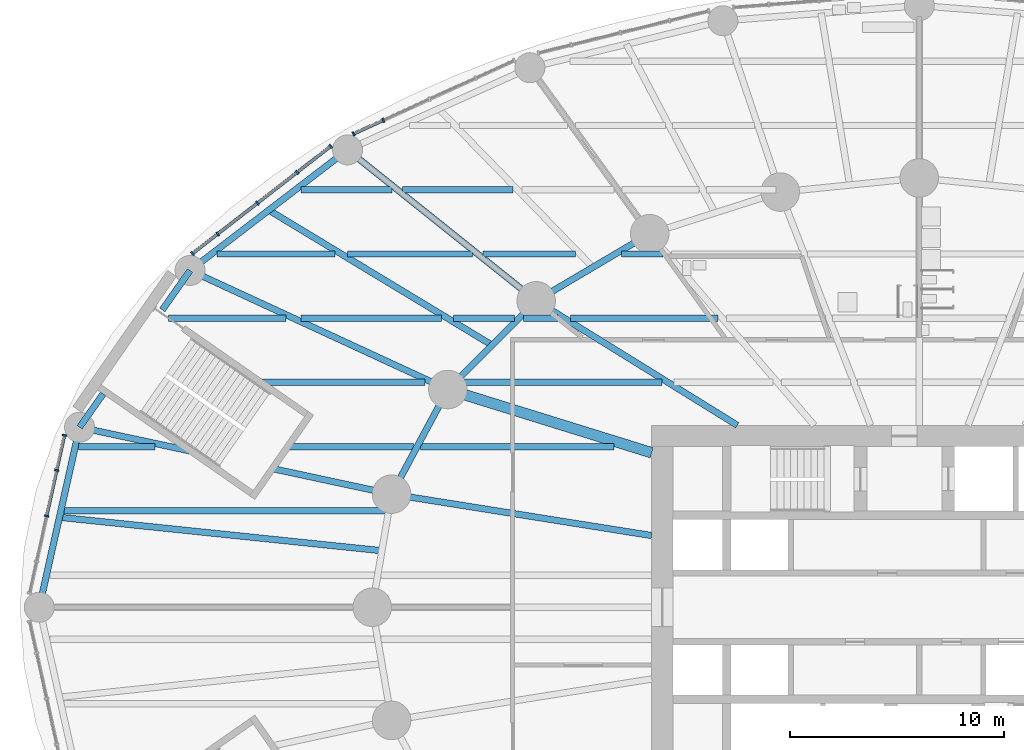
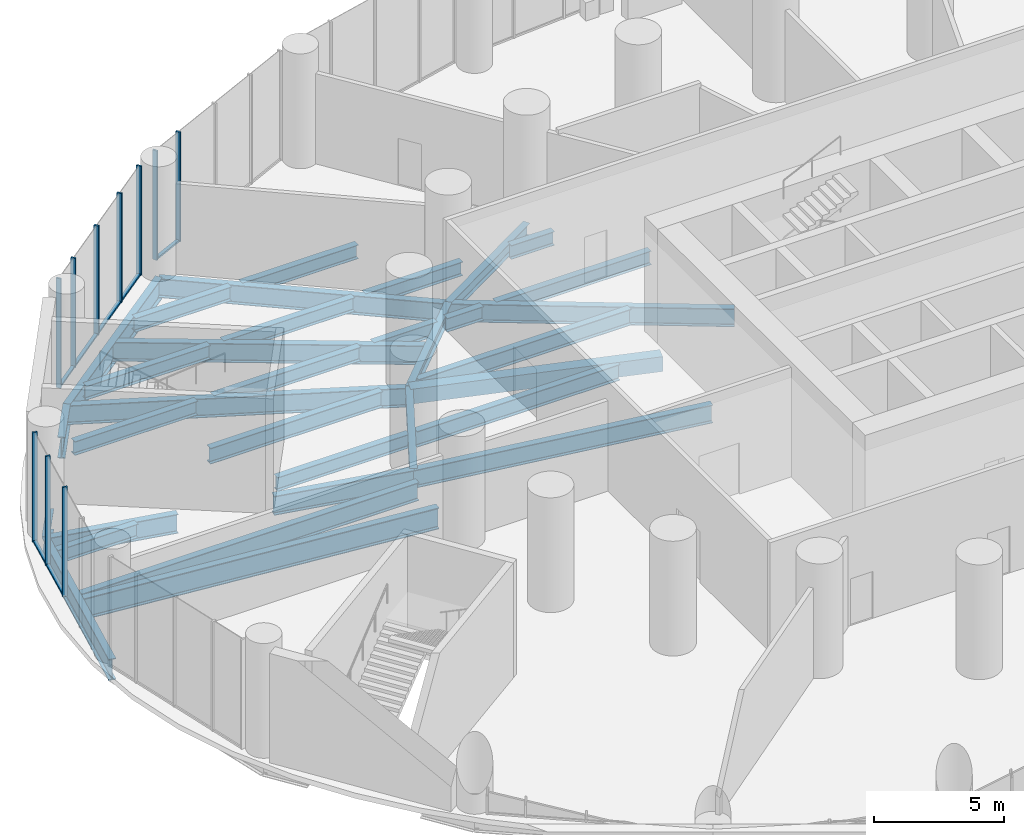
# One storey, part 7 of 23: 33 beams, 17 members, 3 elements without a shape of their own.
"""IFC4 building model written with IfcOpenShell, lengths in metres."""

from ifc_helpers import new_model, si_unit, direction, frame, origin, origin_2d, place, context, subcontext, project, spatial, rectangle, hollow_rectangle, i_section, extrude, material, material_profile, profile_set, type_object, element, aggregate, save


model = new_model("IFC4")

# Units and contexts
model_context = context("Model", 3, precision=1e-05, world=origin(), true_north=direction((0.0, 1.0)))
body_context = subcontext(model_context, "Body", "Model", "MODEL_VIEW")
ifc_project = project(units=[si_unit("LENGTHUNIT", "METRE"), si_unit("AREAUNIT", "SQUARE_METRE"), si_unit("VOLUMEUNIT", "CUBIC_METRE"), si_unit("PLANEANGLEUNIT", "RADIAN"), si_unit("MASSUNIT", "GRAM", prefix="KILO")], contexts=[model_context])

# Site, building, storey
site_placement = place(None, origin())
site = spatial("IfcSite", under=ifc_project, at=site_placement, CompositionType="ELEMENT")
building_placement = place(site_placement, origin())
building = spatial("IfcBuilding", under=site, at=building_placement, Name="Hankou Lantern Tower", CompositionType="ELEMENT")
storey_placement = place(building_placement, frame((0.0, 0.0, 19.199951171875)))
storey = spatial("IfcBuildingStorey", under=building, at=storey_placement, Name="L03", CompositionType="ELEMENT", Elevation=19.199951171875)

# Beams
ifc_material_1 = material(Name="Steel Q355B", Category="steel")
ifc_material_profile_1 = material_profile(ifc_material_1, i_section(OverallWidth=0.300048828125, OverallDepth=0.587890625, WebThickness=0.011962890625, FlangeThickness=0.02001953125, FilletRadius=0.01806640625, at=origin_2d()), Name="HM588x300x12x20")
ifc_profile_set_1 = profile_set([ifc_material_profile_1], Name="Steel Q355B")
beam_type_1 = type_object("IfcBeamType", Name="EB16 RING BEAM HM588x300x12x20", PredefinedType="SPANDREL", material=ifc_profile_set_1)
beam_1_placement = place(storey_placement, frame((-12.5908203125, 17.446533203125, -0.5439453125), z_axis=(-0.860881533543, -0.508805449268, 0.0), x_axis=(0.508805449268, -0.860881533543, 0.0)))
element("IfcBeam", 1, at=beam_1_placement, inside=storey, type_object=beam_type_1, Name="Ring beam R09-R10 L03", PredefinedType="SPANDREL", context=body_context, shape_type="SweptSolid", body=[
    extrude(i_section(OverallWidth=0.300048828125, OverallDepth=0.587890625, WebThickness=0.011962890625, FlangeThickness=0.02001953125, FilletRadius=0.01806640625, at=origin_2d()), origin(), (0.0, 0.0, 1.0), 6.15771484375),
])
beam_2_placement = place(storey_placement, frame((-17.891845703125, 14.3134765625, -0.5439453125), z_axis=(-0.705727798394, -0.708483079949, 0.0), x_axis=(0.708483079949, -0.705727798394, 0.0)))
element("IfcBeam", 2, at=beam_2_placement, inside=storey, type_object=beam_type_1, Name="Ring beam R10-R11 L03", PredefinedType="SPANDREL", context=body_context, shape_type="SweptSolid", body=[
    extrude(i_section(OverallWidth=0.300048828125, OverallDepth=0.587890625, WebThickness=0.011962890625, FlangeThickness=0.02001953125, FilletRadius=0.01806640625, at=origin_2d()), origin(), (0.0, 0.0, 1.0), 5.84814453125),
])
beam_3_placement = place(storey_placement, frame((-22.01904296875, 10.170166015625, -0.5439453125), z_axis=(-0.473609096023, -0.880735161194, 0.0), x_axis=(0.880735161194, -0.473609096023, 0.0)))
element("IfcBeam", 3, at=beam_3_placement, inside=storey, type_object=beam_type_1, Name="Ring beam R11-R12 L03", PredefinedType="SPANDREL", context=body_context, shape_type="SweptSolid", body=[
    extrude(i_section(OverallWidth=0.300048828125, OverallDepth=0.587890625, WebThickness=0.011962890625, FlangeThickness=0.02001953125, FilletRadius=0.01806640625, at=origin_2d()), origin(), (0.0, 0.0, 1.0), 5.548828125),
])

# Curtain wall, members
ifc_material_2 = material(Name="Glass, dark grey tinted laminated", Category="glass")
curtain_wall_type = type_object("IfcCurtainWallType", Name="CWP PODIUM CURTAIN WALL", PredefinedType="USERDEFINED", material=ifc_material_2)
curtain_wall_1_placement = place(storey_placement, origin())
curtain_wall_1 = element("IfcCurtainWall", 4, at=curtain_wall_1_placement, inside=storey, type_object=curtain_wall_type, Name="CWP L03 PC07", ObjectType="PODIUM GLAZING", PredefinedType="USERDEFINED")
ifc_material_3 = material(Name="Aluminium, black anodised", Category="aluminium")
ifc_material_profile_2 = material_profile(ifc_material_3, rectangle(XDim=0.080078125, YDim=0.199951171875, at=origin_2d()), Name="MU2 80X200")
ifc_profile_set_2 = profile_set([ifc_material_profile_2], Name="Aluminium, black anodised")
member_type_1 = type_object("IfcMemberType", Name="MU2 PODIUM MULLION 80X200", PredefinedType="MULLION", material=ifc_profile_set_2)
member_1_placement = place(storey_placement, frame((-25.034423828125, 22.743408203125, 0.0), z_axis=(0.0, 0.0, 1.0), x_axis=(-0.909669790944, -0.41533224224, 0.0)))
member_1 = element("IfcMember", 5, at=member_1_placement, type_object=member_type_1, Name="CWP mullion 4", PredefinedType="MULLION", context=body_context, shape_type="SweptSolid", body=[
    extrude(rectangle(XDim=0.080078125, YDim=0.199951171875, at=origin_2d()), origin(), (0.0, 0.0, 1.0), 5.150146484375),
])
member_2_placement = place(storey_placement, frame((-26.421630859375, 22.10986328125, 0.0), z_axis=(0.0, 0.0, 1.0), x_axis=(-0.909669790944, -0.41533224224, 0.0)))
member_2 = element("IfcMember", 6, at=member_2_placement, type_object=member_type_1, Name="CWP mullion 5", PredefinedType="MULLION", context=body_context, shape_type="SweptSolid", body=[
    extrude(rectangle(XDim=0.080078125, YDim=0.199951171875, at=origin_2d()), origin(), (0.0, 0.0, 1.0), 5.150146484375),
])

curtain_wall_2_placement = place(storey_placement, origin())
curtain_wall_2 = element("IfcCurtainWall", 7, at=curtain_wall_2_placement, inside=storey, type_object=curtain_wall_type, Name="CWP L03 PC08", ObjectType="PODIUM GLAZING", PredefinedType="USERDEFINED")
member_3_placement = place(storey_placement, frame((-27.487060546875, 21.530517578125, 0.0), z_axis=(0.0, 0.0, 1.0), x_axis=(-0.790129760642, -0.612939606608, 0.0)))
member_3 = element("IfcMember", 8, at=member_3_placement, type_object=member_type_1, Name="CWP mullion 1", PredefinedType="MULLION", context=body_context, shape_type="SweptSolid", body=[
    extrude(rectangle(XDim=0.080078125, YDim=0.199951171875, at=origin_2d()), origin(), (0.0, 0.0, 1.0), 5.150146484375),
])
member_4_placement = place(storey_placement, frame((-29.05322265625, 20.315673828125, 0.0), z_axis=(0.0, 0.0, 1.0), x_axis=(-0.790129760642, -0.612939606608, 0.0)))
member_4 = element("IfcMember", 9, at=member_4_placement, type_object=member_type_1, Name="CWP mullion 2", PredefinedType="MULLION", context=body_context, shape_type="SweptSolid", body=[
    extrude(rectangle(XDim=0.080078125, YDim=0.199951171875, at=origin_2d()), origin(), (0.0, 0.0, 1.0), 5.150146484375),
])
member_5_placement = place(storey_placement, frame((-30.91064453125, 18.874755859375, 0.0), z_axis=(0.0, 0.0, 1.0), x_axis=(-0.790129760642, -0.612939606608, 0.0)))
member_5 = element("IfcMember", 10, at=member_5_placement, type_object=member_type_1, Name="CWP mullion 3", PredefinedType="MULLION", context=body_context, shape_type="SweptSolid", body=[
    extrude(rectangle(XDim=0.080078125, YDim=0.199951171875, at=origin_2d()), origin(), (0.0, 0.0, 1.0), 5.150146484375),
])
member_6_placement = place(storey_placement, frame((-32.76806640625, 17.433837890625, 0.0), z_axis=(0.0, 0.0, 1.0), x_axis=(-0.790129760642, -0.612939606608, 0.0)))
member_6 = element("IfcMember", 11, at=member_6_placement, type_object=member_type_1, Name="CWP mullion 4", PredefinedType="MULLION", context=body_context, shape_type="SweptSolid", body=[
    extrude(rectangle(XDim=0.080078125, YDim=0.199951171875, at=origin_2d()), origin(), (0.0, 0.0, 1.0), 5.150146484375),
])
member_7_placement = place(storey_placement, frame((-33.945068359375, 16.520751953125, 0.0), z_axis=(0.0, 0.0, 1.0), x_axis=(-0.790129760642, -0.612939606608, 0.0)))
member_7 = element("IfcMember", 12, at=member_7_placement, type_object=member_type_1, Name="CWP mullion 5", PredefinedType="MULLION", context=body_context, shape_type="SweptSolid", body=[
    extrude(rectangle(XDim=0.080078125, YDim=0.199951171875, at=origin_2d()), origin(), (0.0, 0.0, 1.0), 5.150146484375),
])

curtain_wall_3_placement = place(storey_placement, origin())
curtain_wall_3 = element("IfcCurtainWall", 13, at=curtain_wall_3_placement, inside=storey, type_object=curtain_wall_type, Name="CWP L03 PC09", ObjectType="PODIUM GLAZING", PredefinedType="USERDEFINED")
member_8_placement = place(storey_placement, frame((-39.925537109375, 8.028564453125, 0.0), z_axis=(0.0, 0.0, 1.0), x_axis=(-0.215821488116, -0.976432837049, 0.0)))
member_8 = element("IfcMember", 14, at=member_8_placement, type_object=member_type_1, Name="CWP mullion 1", PredefinedType="MULLION", context=body_context, shape_type="SweptSolid", body=[
    extrude(rectangle(XDim=0.080078125, YDim=0.199951171875, at=origin_2d()), origin(), (0.0, 0.0, 1.0), 5.150146484375),
])
member_9_placement = place(storey_placement, frame((-40.28515625, 6.40087890625, 0.0), z_axis=(0.0, 0.0, 1.0), x_axis=(-0.215821488116, -0.976432837049, 0.0)))
member_9 = element("IfcMember", 15, at=member_9_placement, type_object=member_type_1, Name="CWP mullion 2", PredefinedType="MULLION", context=body_context, shape_type="SweptSolid", body=[
    extrude(rectangle(XDim=0.080078125, YDim=0.199951171875, at=origin_2d()), origin(), (0.0, 0.0, 1.0), 5.150146484375),
])
member_10_placement = place(storey_placement, frame((-40.7568359375, 4.267333984375, 0.0), z_axis=(0.0, 0.0, 1.0), x_axis=(-0.215821488116, -0.976432837049, 0.0)))
member_10 = element("IfcMember", 16, at=member_10_placement, type_object=member_type_1, Name="CWP mullion 3", PredefinedType="MULLION", context=body_context, shape_type="SweptSolid", body=[
    extrude(rectangle(XDim=0.080078125, YDim=0.199951171875, at=origin_2d()), origin(), (0.0, 0.0, 1.0), 5.150146484375),
])

# Beams
ifc_material_4 = material(Name="Steel Q355B", Category="steel")
ifc_material_profile_3 = material_profile(ifc_material_4, i_section(OverallWidth=0.300048828125, OverallDepth=0.89990234375, WebThickness=0.01611328125, FlangeThickness=0.028076171875, FilletRadius=0.01806640625, at=origin_2d()), Name="HN900x300x16x28")
ifc_profile_set_3 = profile_set([ifc_material_profile_3], Name="Steel Q355B")
beam_type_2 = type_object("IfcBeamType", Name="PB13 PODIUM RADIAL BEAM HN900x300x16x28", PredefinedType="BEAM", material=ifc_profile_set_3)
beam_4_placement = place(storey_placement, frame((-17.891845703125, 14.3134765625, -0.699951171875), z_axis=(-0.780875142676, 0.624687130931, 0.0), x_axis=(-0.624687130931, -0.780875142676, 0.0)))
element("IfcBeam", 17, at=beam_4_placement, inside=storey, type_object=beam_type_2, Name="Podium radial beam R10 L03", PredefinedType="BEAM", context=body_context, shape_type="SweptSolid", body=[
    extrude(i_section(OverallWidth=0.300048828125, OverallDepth=0.89990234375, WebThickness=0.01611328125, FlangeThickness=0.028076171875, FilletRadius=0.01806640625, at=origin_2d()), origin(), (0.0, 0.0, 1.0), 11.28271484375),
])
beam_5_placement = place(storey_placement, frame((-22.01904296875, 10.170166015625, -0.699951171875), z_axis=(-0.907840792808, 0.419315030633, 0.0), x_axis=(-0.419315030633, -0.907840792808, 0.0)))
element("IfcBeam", 18, at=beam_5_placement, inside=storey, type_object=beam_type_2, Name="Podium radial beam R11 L03", PredefinedType="BEAM", context=body_context, shape_type="SweptSolid", body=[
    extrude(i_section(OverallWidth=0.300048828125, OverallDepth=0.89990234375, WebThickness=0.01611328125, FlangeThickness=0.028076171875, FilletRadius=0.01806640625, at=origin_2d()), origin(), (0.0, 0.0, 1.0), 13.259765625),
])
beam_6_placement = place(storey_placement, frame((-24.64697265625, 5.283203125, -0.699951171875), z_axis=(-0.977787338777, 0.209599427782, 0.0), x_axis=(-0.209599427782, -0.977787338777, 0.0)))
element("IfcBeam", 19, at=beam_6_placement, inside=storey, type_object=beam_type_2, Name="Podium radial beam R12 L03 inner part", PredefinedType="BEAM", context=body_context, shape_type="SweptSolid", body=[
    extrude(i_section(OverallWidth=0.300048828125, OverallDepth=0.89990234375, WebThickness=0.01611328125, FlangeThickness=0.028076171875, FilletRadius=0.01806640625, at=origin_2d()), origin(), (0.0, 0.0, 1.0), 5.68896484375),
])
beam_7_placement = place(storey_placement, frame((-34.01025390625, 7.29052734375, -0.699951171875), z_axis=(-0.977788323488, 0.209594834028, 0.0), x_axis=(-0.209594834028, -0.977788323488, 0.0)))
element("IfcBeam", 20, at=beam_7_placement, inside=storey, type_object=beam_type_2, Name="Podium radial beam R12 L03 outer part", PredefinedType="BEAM", context=body_context, shape_type="SweptSolid", body=[
    extrude(i_section(OverallWidth=0.300048828125, OverallDepth=0.89990234375, WebThickness=0.01611328125, FlangeThickness=0.028076171875, FilletRadius=0.01806640625, at=origin_2d()), origin(), (0.0, 0.0, 1.0), 5.32568359375),
])
ifc_material_5 = material(Name="Steel Q355B", Category="steel")
ifc_material_profile_4 = material_profile(ifc_material_5, i_section(OverallWidth=0.300048828125, OverallDepth=1.0, WebThickness=0.01904296875, FlangeThickness=0.035888671875, FilletRadius=0.01806640625, at=origin_2d()), Name="HN1000x300x19x36")
ifc_profile_set_4 = profile_set([ifc_material_profile_4], Name="Steel Q355B")
beam_type_3 = type_object("IfcBeamType", Name="PR22 PODIUM RING BEAM HN1000x300x19x36", PredefinedType="BEAM", material=ifc_profile_set_4)
beam_8_placement = place(storey_placement, frame((-26.7021484375, 21.361572265625, -0.75), z_axis=(-0.793985875103, -0.607936205647, 0.0), x_axis=(0.607936205647, -0.793985875103, 0.0)))
element("IfcBeam", 21, at=beam_8_placement, inside=storey, type_object=beam_type_3, Name="Podium ring beam R10-R11 L03", PredefinedType="BEAM", context=body_context, shape_type="SweptSolid", body=[
    extrude(i_section(OverallWidth=0.300048828125, OverallDepth=1.0, WebThickness=0.01904296875, FlangeThickness=0.035888671875, FilletRadius=0.01806640625, at=origin_2d()), origin(), (0.0, 0.0, 1.0), 9.262939453125),
])
beam_9_placement = place(storey_placement, frame((-34.056884765625, 15.730224609375, -0.75), z_axis=(-0.576006222853, -0.817445307794, 0.0), x_axis=(0.817445307794, -0.576006222853, 0.0)))
element("IfcBeam", 22, at=beam_9_placement, inside=storey, type_object=beam_type_3, Name="Podium ring beam R11-R12 L03 west part", PredefinedType="BEAM", context=body_context, shape_type="SweptSolid", body=[
    extrude(i_section(OverallWidth=0.300048828125, OverallDepth=1.0, WebThickness=0.01904296875, FlangeThickness=0.035888671875, FilletRadius=0.01806640625, at=origin_2d()), origin(), (0.0, 0.0, 1.0), 2.251953125),
])
beam_10_placement = place(storey_placement, frame((-38.118896484375, 9.9658203125, -0.75), z_axis=(-0.576019631526, -0.817435859317, 0.0), x_axis=(0.817435859317, -0.576019631526, 0.0)))
element("IfcBeam", 23, at=beam_10_placement, inside=storey, type_object=beam_type_3, Name="Podium ring beam R11-R12 L03 east part", PredefinedType="BEAM", context=body_context, shape_type="SweptSolid", body=[
    extrude(i_section(OverallWidth=0.300048828125, OverallDepth=1.0, WebThickness=0.01904296875, FlangeThickness=0.035888671875, FilletRadius=0.01806640625, at=origin_2d()), origin(), (0.0, 0.0, 1.0), 1.9072265625),
])
beam_11_placement = place(storey_placement, frame((-39.217529296875, 8.40673828125, -0.75), z_axis=(-0.218523498172, -0.975831686689, 0.0), x_axis=(0.975831686689, -0.218523498172, 0.0)))
element("IfcBeam", 24, at=beam_11_placement, inside=storey, type_object=beam_type_3, Name="Podium ring beam R12-R13 L03", PredefinedType="BEAM", context=body_context, shape_type="SweptSolid", body=[
    extrude(i_section(OverallWidth=0.300048828125, OverallDepth=1.0, WebThickness=0.01904296875, FlangeThickness=0.035888671875, FilletRadius=0.01806640625, at=origin_2d()), origin(), (0.0, 0.0, 1.0), 8.614990234375),
])
ifc_material_6 = material(Name="Steel Q355B", Category="steel")
ifc_material_profile_5 = material_profile(ifc_material_6, i_section(OverallWidth=0.300048828125, OverallDepth=0.89990234375, WebThickness=0.01611328125, FlangeThickness=0.028076171875, FilletRadius=0.01806640625, at=origin_2d()), Name="HN900x300x16x28")
ifc_profile_set_5 = profile_set([ifc_material_profile_5], Name="Steel Q355B")
beam_type_4 = type_object("IfcBeamType", Name="PS13 PODIUM SECONDARY BEAM HN900x300x16x28", PredefinedType="JOIST", material=ifc_profile_set_5)
beam_12_placement = place(storey_placement, frame((-19.955322265625, 12.24169921875, -0.699951171875), z_axis=(-0.855685755165, 0.517495785884, 0.0), x_axis=(-0.517495785884, -0.855685755165, 0.0)))
element("IfcBeam", 25, at=beam_12_placement, inside=storey, type_object=beam_type_4, Name="Podium secondary beam bay R10 L03", PredefinedType="JOIST", context=body_context, shape_type="SweptSolid", body=[
    extrude(i_section(OverallWidth=0.300048828125, OverallDepth=0.89990234375, WebThickness=0.01611328125, FlangeThickness=0.028076171875, FilletRadius=0.01806640625, at=origin_2d()), origin(), (0.0, 0.0, 1.0), 12.18212890625),
])
ifc_material_7 = material(Name="Steel Q355B", Category="steel")
ifc_material_profile_6 = material_profile(ifc_material_7, i_section(OverallWidth=0.300048828125, OverallDepth=1.0, WebThickness=0.01904296875, FlangeThickness=0.035888671875, FilletRadius=0.01806640625, at=origin_2d()), Name="HN1000x300x19x36")
ifc_profile_set_6 = profile_set([ifc_material_profile_6], Name="Steel Q355B")
beam_type_5 = type_object("IfcBeamType", Name="PS22 PODIUM SECONDARY BEAM HN1000x300x19x36", PredefinedType="JOIST", material=ifc_profile_set_6)
beam_13_placement = place(storey_placement, frame((-25.098388671875, 2.6416015625, -0.75), z_axis=(-0.994666039581, 0.103147805132, 0.0), x_axis=(-0.103147805132, -0.994666039581, 0.0)))
element("IfcBeam", 26, at=beam_13_placement, inside=storey, type_object=beam_type_5, Name="Podium secondary beam bay R12 L03", PredefinedType="JOIST", context=body_context, shape_type="SweptSolid", body=[
    extrude(i_section(OverallWidth=0.300048828125, OverallDepth=1.0, WebThickness=0.01904296875, FlangeThickness=0.035888671875, FilletRadius=0.01806640625, at=origin_2d()), origin(), (0.0, 0.0, 1.0), 15.14111328125),
])
ifc_material_8 = material(Name="Steel Q355B", Category="steel")
ifc_material_profile_7 = material_profile(ifc_material_8, i_section(OverallWidth=0.300048828125, OverallDepth=0.85009765625, WebThickness=0.01611328125, FlangeThickness=0.027099609375, FilletRadius=0.01806640625, at=origin_2d()), Name="HN850x300x16x27")
ifc_profile_set_7 = profile_set([ifc_material_profile_7], Name="Steel Q355B")
beam_type_6 = type_object("IfcBeamType", Name="RB12 RADIAL BEAM HN850x300x16x27", PredefinedType="BEAM", material=ifc_profile_set_7)
beam_14_placement = place(storey_placement, frame((-8.5, 8.5, -0.675048828125), z_axis=(-0.850286343288, 0.526320372414, 0.0), x_axis=(-0.526320372414, -0.850286343288, 0.0)))
element("IfcBeam", 27, at=beam_14_placement, inside=storey, type_object=beam_type_6, Name="Radial beam R10 L03", PredefinedType="BEAM", context=body_context, shape_type="SweptSolid", body=[
    extrude(i_section(OverallWidth=0.300048828125, OverallDepth=0.85009765625, WebThickness=0.01611328125, FlangeThickness=0.027099609375, FilletRadius=0.01806640625, at=origin_2d()), origin(), (0.0, 0.0, 1.0), 11.04541015625),
])
beam_15_placement = place(storey_placement, frame((-12.5, 3.349365234375, -0.675048828125), z_axis=(-0.987563081343, 0.157223281893, 0.0), x_axis=(-0.157223281893, -0.987563081343, 0.0)))
element("IfcBeam", 28, at=beam_15_placement, inside=storey, type_object=beam_type_6, Name="Radial beam R12 L03", PredefinedType="BEAM", context=body_context, shape_type="SweptSolid", body=[
    extrude(i_section(OverallWidth=0.300048828125, OverallDepth=0.85009765625, WebThickness=0.01611328125, FlangeThickness=0.027099609375, FilletRadius=0.01806640625, at=origin_2d()), origin(), (0.0, 0.0, 1.0), 12.300048828125),
])
ifc_material_9 = material(Name="Steel Q355B", Category="steel")
ifc_material_profile_8 = material_profile(ifc_material_9, hollow_rectangle(XDim=0.5, YDim=0.699951171875, WallThickness=0.0400390625, at=origin_2d()), Name="BOX700x500x40")
ifc_profile_set_8 = profile_set([ifc_material_profile_8], Name="Steel Q355B")
beam_type_7 = type_object("IfcBeamType", Name="RB25 RADIAL BEAM BOX700x500x40", PredefinedType="BEAM", material=ifc_profile_set_8)
beam_16_placement = place(storey_placement, frame((-12.5, 7.216796875, -0.599853515625), z_axis=(-0.955087327755, 0.29632447817, 0.0), x_axis=(-0.29632447817, -0.955087327755, 0.0)))
element("IfcBeam", 29, at=beam_16_placement, inside=storey, type_object=beam_type_7, Name="Radial beam R11 L03", PredefinedType="BEAM", context=body_context, shape_type="SweptSolid", body=[
    extrude(hollow_rectangle(XDim=0.5, YDim=0.699951171875, WallThickness=0.0400390625, at=origin_2d()), origin(), (0.0, 0.0, 1.0), 9.966552734375),
])
ifc_material_10 = material(Name="Steel Q355B", Category="steel")
ifc_material_profile_9 = material_profile(ifc_material_10, i_section(OverallWidth=0.300048828125, OverallDepth=0.75, WebThickness=0.012939453125, FlangeThickness=0.02392578125, FilletRadius=0.01806640625, at=origin_2d()), Name="HN750x300x13x24")
ifc_profile_set_9 = profile_set([ifc_material_profile_9], Name="Steel Q355B")
beam_type_8 = type_object("IfcBeamType", Name="SB10 SECONDARY BEAM HN750x300x13x24", PredefinedType="JOIST", material=ifc_profile_set_9)
beam_17_placement = place(storey_placement, frame((-23.28466796875, 7.5, -0.625), z_axis=(1.0, 0.0, 0.0), x_axis=(0.0, 1.0, 0.0)))
element("IfcBeam", 30, at=beam_17_placement, inside=storey, type_object=beam_type_8, Name="Floor joist J097 L03", PredefinedType="JOIST", context=body_context, shape_type="SweptSolid", body=[
    extrude(i_section(OverallWidth=0.300048828125, OverallDepth=0.75, WebThickness=0.012939453125, FlangeThickness=0.02392578125, FilletRadius=0.01806640625, at=origin_2d()), origin(), (0.0, 0.0, 1.0), 9.0283203125),
])
beam_18_placement = place(storey_placement, frame((-30.743896484375, 10.5, -0.625), z_axis=(1.0, 0.0, 0.0), x_axis=(0.0, 1.0, 0.0)))
element("IfcBeam", 31, at=beam_18_placement, inside=storey, type_object=beam_type_8, Name="Floor joist J101 L03", PredefinedType="JOIST", context=body_context, shape_type="SweptSolid", body=[
    extrude(i_section(OverallWidth=0.300048828125, OverallDepth=0.75, WebThickness=0.012939453125, FlangeThickness=0.02392578125, FilletRadius=0.01806640625, at=origin_2d()), origin(), (0.0, 0.0, 1.0), 7.653076171875),
])
beam_19_placement = place(storey_placement, frame((-21.478759765625, 10.5, -0.625), z_axis=(1.0, 0.0, 0.0), x_axis=(0.0, 1.0, 0.0)))
element("IfcBeam", 32, at=beam_19_placement, inside=storey, type_object=beam_type_8, Name="Floor joist J102 L03", PredefinedType="JOIST", context=body_context, shape_type="SweptSolid", body=[
    extrude(i_section(OverallWidth=0.300048828125, OverallDepth=0.75, WebThickness=0.012939453125, FlangeThickness=0.02392578125, FilletRadius=0.01806640625, at=origin_2d()), origin(), (0.0, 0.0, 1.0), 9.462646484375),
])
ifc_material_11 = material(Name="Steel Q355B", Category="steel")
ifc_material_profile_10 = material_profile(ifc_material_11, i_section(OverallWidth=0.300048828125, OverallDepth=0.85009765625, WebThickness=0.01611328125, FlangeThickness=0.027099609375, FilletRadius=0.01806640625, at=origin_2d()), Name="HN850x300x16x27")
ifc_profile_set_10 = profile_set([ifc_material_profile_10], Name="Steel Q355B")
beam_type_9 = type_object("IfcBeamType", Name="SB12 SECONDARY BEAM HN850x300x16x27", PredefinedType="JOIST", material=ifc_profile_set_10)
beam_20_placement = place(storey_placement, frame((-39.938720703125, 4.5, -0.675048828125), z_axis=(1.0, 0.0, 0.0), x_axis=(0.0, 1.0, 0.0)))
element("IfcBeam", 33, at=beam_20_placement, inside=storey, type_object=beam_type_9, Name="Floor joist J089 L03", PredefinedType="JOIST", context=body_context, shape_type="SweptSolid", body=[
    extrude(i_section(OverallWidth=0.300048828125, OverallDepth=0.85009765625, WebThickness=0.01611328125, FlangeThickness=0.027099609375, FilletRadius=0.01806640625, at=origin_2d()), origin(), (0.0, 0.0, 1.0), 15.005615234375),
])
ifc_material_12 = material(Name="Steel Q355B", Category="steel")
ifc_material_profile_11 = material_profile(ifc_material_12, i_section(OverallWidth=0.300048828125, OverallDepth=0.64990234375, WebThickness=0.010986328125, FlangeThickness=0.01708984375, FilletRadius=0.01806640625, at=origin_2d()), Name="HN650x300x11x17")
ifc_profile_set_11 = profile_set([ifc_material_profile_11], Name="Steel Q355B")
beam_type_10 = type_object("IfcBeamType", Name="SB8 SECONDARY BEAM HN650x300x11x17", PredefinedType="JOIST", material=ifc_profile_set_11)
beam_21_placement = place(storey_placement, frame((-39.266845703125, 7.5, -0.574951171875), z_axis=(1.0, 0.0, 0.0), x_axis=(0.0, 1.0, 0.0)))
element("IfcBeam", 34, at=beam_21_placement, inside=storey, type_object=beam_type_10, Name="Floor joist J095 L03", PredefinedType="JOIST", context=body_context, shape_type="SweptSolid", body=[
    extrude(i_section(OverallWidth=0.300048828125, OverallDepth=0.64990234375, WebThickness=0.010986328125, FlangeThickness=0.01708984375, FilletRadius=0.01806640625, at=origin_2d()), origin(), (0.0, 0.0, 1.0), 3.563232421875),
])
beam_22_placement = place(storey_placement, frame((-29.496826171875, 7.5, -0.574951171875), z_axis=(1.0, 0.0, 0.0), x_axis=(0.0, 1.0, 0.0)))
element("IfcBeam", 35, at=beam_22_placement, inside=storey, type_object=beam_type_10, Name="Floor joist J096 L03", PredefinedType="JOIST", context=body_context, shape_type="SweptSolid", body=[
    extrude(i_section(OverallWidth=0.300048828125, OverallDepth=0.64990234375, WebThickness=0.010986328125, FlangeThickness=0.01708984375, FilletRadius=0.01806640625, at=origin_2d()), origin(), (0.0, 0.0, 1.0), 5.87158203125),
])
beam_23_placement = place(storey_placement, frame((-35.056884765625, 13.5, -0.574951171875), z_axis=(1.0, 0.0, 0.0), x_axis=(0.0, 1.0, 0.0)))
element("IfcBeam", 36, at=beam_23_placement, inside=storey, type_object=beam_type_10, Name="Floor joist J111 L03", PredefinedType="JOIST", context=body_context, shape_type="SweptSolid", body=[
    extrude(i_section(OverallWidth=0.300048828125, OverallDepth=0.64990234375, WebThickness=0.010986328125, FlangeThickness=0.01708984375, FilletRadius=0.01806640625, at=origin_2d()), origin(), (0.0, 0.0, 1.0), 5.470703125),
])
beam_24_placement = place(storey_placement, frame((-28.87060546875, 13.5, -0.574951171875), z_axis=(1.0, 0.0, 0.0), x_axis=(0.0, 1.0, 0.0)))
element("IfcBeam", 37, at=beam_24_placement, inside=storey, type_object=beam_type_10, Name="Floor joist J112 L03", PredefinedType="JOIST", context=body_context, shape_type="SweptSolid", body=[
    extrude(i_section(OverallWidth=0.300048828125, OverallDepth=0.64990234375, WebThickness=0.010986328125, FlangeThickness=0.01708984375, FilletRadius=0.01806640625, at=origin_2d()), origin(), (0.0, 0.0, 1.0), 6.544921875),
])
beam_25_placement = place(storey_placement, frame((-21.74609375, 13.5, -0.574951171875), z_axis=(1.0, 0.0, 0.0), x_axis=(0.0, 1.0, 0.0)))
element("IfcBeam", 38, at=beam_25_placement, inside=storey, type_object=beam_type_10, Name="Floor joist J113 L03", PredefinedType="JOIST", context=body_context, shape_type="SweptSolid", body=[
    extrude(i_section(OverallWidth=0.300048828125, OverallDepth=0.64990234375, WebThickness=0.010986328125, FlangeThickness=0.01708984375, FilletRadius=0.01806640625, at=origin_2d()), origin(), (0.0, 0.0, 1.0), 2.832275390625),
])
beam_26_placement = place(storey_placement, frame((-18.490234375, 13.5, -0.574951171875), z_axis=(1.0, 0.0, 0.0), x_axis=(0.0, 1.0, 0.0)))
element("IfcBeam", 39, at=beam_26_placement, inside=storey, type_object=beam_type_10, Name="Floor joist J114 L03", PredefinedType="JOIST", context=body_context, shape_type="SweptSolid", body=[
    extrude(i_section(OverallWidth=0.300048828125, OverallDepth=0.64990234375, WebThickness=0.010986328125, FlangeThickness=0.01708984375, FilletRadius=0.01806640625, at=origin_2d()), origin(), (0.0, 0.0, 1.0), 1.62744140625),
])
beam_27_placement = place(storey_placement, frame((-16.292724609375, 13.5, -0.574951171875), z_axis=(1.0, 0.0, 0.0), x_axis=(0.0, 1.0, 0.0)))
element("IfcBeam", 40, at=beam_27_placement, inside=storey, type_object=beam_type_10, Name="Floor joist J115 L03", PredefinedType="JOIST", context=body_context, shape_type="SweptSolid", body=[
    extrude(i_section(OverallWidth=0.300048828125, OverallDepth=0.64990234375, WebThickness=0.010986328125, FlangeThickness=0.01708984375, FilletRadius=0.01806640625, at=origin_2d()), origin(), (0.0, 0.0, 1.0), 6.893310546875),
])
beam_28_placement = place(storey_placement, frame((-32.8046875, 16.5, -0.574951171875), z_axis=(1.0, 0.0, 0.0), x_axis=(0.0, 1.0, 0.0)))
element("IfcBeam", 41, at=beam_28_placement, inside=storey, type_object=beam_type_10, Name="Floor joist J125 L03", PredefinedType="JOIST", context=body_context, shape_type="SweptSolid", body=[
    extrude(i_section(OverallWidth=0.300048828125, OverallDepth=0.64990234375, WebThickness=0.010986328125, FlangeThickness=0.01708984375, FilletRadius=0.01806640625, at=origin_2d()), origin(), (0.0, 0.0, 1.0), 5.518310546875),
])
beam_29_placement = place(storey_placement, frame((-26.70654296875, 16.5, -0.574951171875), z_axis=(1.0, 0.0, 0.0), x_axis=(0.0, 1.0, 0.0)))
element("IfcBeam", 42, at=beam_29_placement, inside=storey, type_object=beam_type_10, Name="Floor joist J126 L03", PredefinedType="JOIST", context=body_context, shape_type="SweptSolid", body=[
    extrude(i_section(OverallWidth=0.300048828125, OverallDepth=0.64990234375, WebThickness=0.010986328125, FlangeThickness=0.01708984375, FilletRadius=0.01806640625, at=origin_2d()), origin(), (0.0, 0.0, 1.0), 5.84130859375),
])
beam_30_placement = place(storey_placement, frame((-20.384765625, 16.5, -0.574951171875), z_axis=(1.0, 0.0, 0.0), x_axis=(0.0, 1.0, 0.0)))
element("IfcBeam", 43, at=beam_30_placement, inside=storey, type_object=beam_type_10, Name="Floor joist J127 L03", PredefinedType="JOIST", context=body_context, shape_type="SweptSolid", body=[
    extrude(i_section(OverallWidth=0.300048828125, OverallDepth=0.64990234375, WebThickness=0.010986328125, FlangeThickness=0.01708984375, FilletRadius=0.01806640625, at=origin_2d()), origin(), (0.0, 0.0, 1.0), 4.33056640625),
])
beam_31_placement = place(storey_placement, frame((-13.8974609375, 16.5, -0.574951171875), z_axis=(1.0, 0.0, 0.0), x_axis=(0.0, 1.0, 0.0)))
element("IfcBeam", 44, at=beam_31_placement, inside=storey, type_object=beam_type_10, Name="Floor joist J128 L03", PredefinedType="JOIST", context=body_context, shape_type="SweptSolid", body=[
    extrude(i_section(OverallWidth=0.300048828125, OverallDepth=0.64990234375, WebThickness=0.010986328125, FlangeThickness=0.01708984375, FilletRadius=0.01806640625, at=origin_2d()), origin(), (0.0, 0.0, 1.0), 1.921630859375),
])
beam_32_placement = place(storey_placement, frame((-28.88671875, 19.5, -0.574951171875), z_axis=(1.0, 0.0, 0.0), x_axis=(0.0, 1.0, 0.0)))
element("IfcBeam", 45, at=beam_32_placement, inside=storey, type_object=beam_type_10, Name="Floor joist J137 L03", PredefinedType="JOIST", context=body_context, shape_type="SweptSolid", body=[
    extrude(i_section(OverallWidth=0.300048828125, OverallDepth=0.64990234375, WebThickness=0.010986328125, FlangeThickness=0.01708984375, FilletRadius=0.01806640625, at=origin_2d()), origin(), (0.0, 0.0, 1.0), 4.271484375),
])
beam_33_placement = place(storey_placement, frame((-24.134765625, 19.5, -0.574951171875), z_axis=(1.0, 0.0, 0.0), x_axis=(0.0, 1.0, 0.0)))
element("IfcBeam", 46, at=beam_33_placement, inside=storey, type_object=beam_type_10, Name="Floor joist J138 L03", PredefinedType="JOIST", context=body_context, shape_type="SweptSolid", body=[
    extrude(i_section(OverallWidth=0.300048828125, OverallDepth=0.64990234375, WebThickness=0.010986328125, FlangeThickness=0.01708984375, FilletRadius=0.01806640625, at=origin_2d()), origin(), (0.0, 0.0, 1.0), 5.160888671875),
])

# Member
ifc_material_13 = material(Name="Aluminium, black anodised", Category="aluminium")
ifc_material_profile_12 = material_profile(ifc_material_13, rectangle(XDim=0.14990234375, YDim=0.080078125, at=origin_2d()), Name="TR2 150X80")
ifc_profile_set_12 = profile_set([ifc_material_profile_12], Name="Aluminium, black anodised")
member_type_2 = type_object("IfcMemberType", Name="TR2 PODIUM TRANSOM 150X80", PredefinedType="USERDEFINED", material=ifc_profile_set_12)
member_11_placement = place(storey_placement, frame((-25.07080078125, 22.726806640625, 0.0400390625), z_axis=(-0.909682453266, -0.415304507825, 0.0), x_axis=(0.415304507825, -0.909682453266, 0.0)))
member_11 = element("IfcMember", 47, at=member_11_placement, type_object=member_type_2, Name="CWP transom 4", ObjectType="TRANSOM", PredefinedType="USERDEFINED", context=body_context, shape_type="SweptSolid", body=[
    extrude(rectangle(XDim=0.14990234375, YDim=0.080078125, at=origin_2d()), origin(), (0.0, 0.0, 1.0), 1.445068359375),
])

aggregate(curtain_wall_1, [member_1, member_2, member_11])

member_12_placement = place(storey_placement, frame((-27.5185546875, 21.506103515625, 0.0400390625), z_axis=(-0.790098015443, -0.612980526601, 0.0), x_axis=(0.612980526601, -0.790098015443, 0.0)))
member_12 = element("IfcMember", 48, at=member_12_placement, type_object=member_type_2, Name="CWP transom 1", ObjectType="TRANSOM", PredefinedType="USERDEFINED", context=body_context, shape_type="SweptSolid", body=[
    extrude(rectangle(XDim=0.14990234375, YDim=0.080078125, at=origin_2d()), origin(), (0.0, 0.0, 1.0), 1.902099609375),
])

member_13_placement = place(storey_placement, frame((-29.084716796875, 20.291015625, 0.0400390625), z_axis=(-0.79016773701, -0.612890648802, 0.0), x_axis=(0.612890648802, -0.79016773701, 0.0)))
member_13 = element("IfcMember", 49, at=member_13_placement, type_object=member_type_2, Name="CWP transom 2", ObjectType="TRANSOM", PredefinedType="USERDEFINED", context=body_context, shape_type="SweptSolid", body=[
    extrude(rectangle(XDim=0.14990234375, YDim=0.080078125, at=origin_2d()), origin(), (0.0, 0.0, 1.0), 2.27099609375),
])

member_14_placement = place(storey_placement, frame((-30.942138671875, 18.85009765625, 0.0400390625), z_axis=(-0.79016773701, -0.612890648802, 0.0), x_axis=(0.612890648802, -0.79016773701, 0.0)))
member_14 = element("IfcMember", 50, at=member_14_placement, type_object=member_type_2, Name="CWP transom 3", ObjectType="TRANSOM", PredefinedType="USERDEFINED", context=body_context, shape_type="SweptSolid", body=[
    extrude(rectangle(XDim=0.14990234375, YDim=0.080078125, at=origin_2d()), origin(), (0.0, 0.0, 1.0), 2.27099609375),
])

member_15_placement = place(storey_placement, frame((-32.7998046875, 17.4091796875, 0.0400390625), z_axis=(-0.790144462034, -0.612920654829, 0.0), x_axis=(0.612920654829, -0.790144462034, 0.0)))
member_15 = element("IfcMember", 51, at=member_15_placement, type_object=member_type_2, Name="CWP transom 4", ObjectType="TRANSOM", PredefinedType="USERDEFINED", context=body_context, shape_type="SweptSolid", body=[
    extrude(rectangle(XDim=0.14990234375, YDim=0.080078125, at=origin_2d()), origin(), (0.0, 0.0, 1.0), 1.4091796875),
])

aggregate(curtain_wall_2, [member_3, member_4, member_5, member_6, member_7, member_12, member_13, member_14, member_15])

member_16_placement = place(storey_placement, frame((-39.93408203125, 7.989501953125, 0.0400390625), z_axis=(-0.215838955929, -0.976428975965, 0.0), x_axis=(0.976428975965, -0.215838955929, 0.0)))
member_16 = element("IfcMember", 52, at=member_16_placement, type_object=member_type_2, Name="CWP transom 1", ObjectType="TRANSOM", PredefinedType="USERDEFINED", context=body_context, shape_type="SweptSolid", body=[
    extrude(rectangle(XDim=0.14990234375, YDim=0.080078125, at=origin_2d()), origin(), (0.0, 0.0, 1.0), 1.5869140625),
])

member_17_placement = place(storey_placement, frame((-40.2939453125, 6.36181640625, 0.0400390625), z_axis=(-0.215812948044, -0.976434724627, 0.0), x_axis=(0.976434724627, -0.215812948044, 0.0)))
member_17 = element("IfcMember", 53, at=member_17_placement, type_object=member_type_2, Name="CWP transom 2", ObjectType="TRANSOM", PredefinedType="USERDEFINED", context=body_context, shape_type="SweptSolid", body=[
    extrude(rectangle(XDim=0.14990234375, YDim=0.080078125, at=origin_2d()), origin(), (0.0, 0.0, 1.0), 2.105224609375),
])

aggregate(curtain_wall_3, [member_8, member_9, member_10, member_16, member_17])

save(model, "model.ifc")
